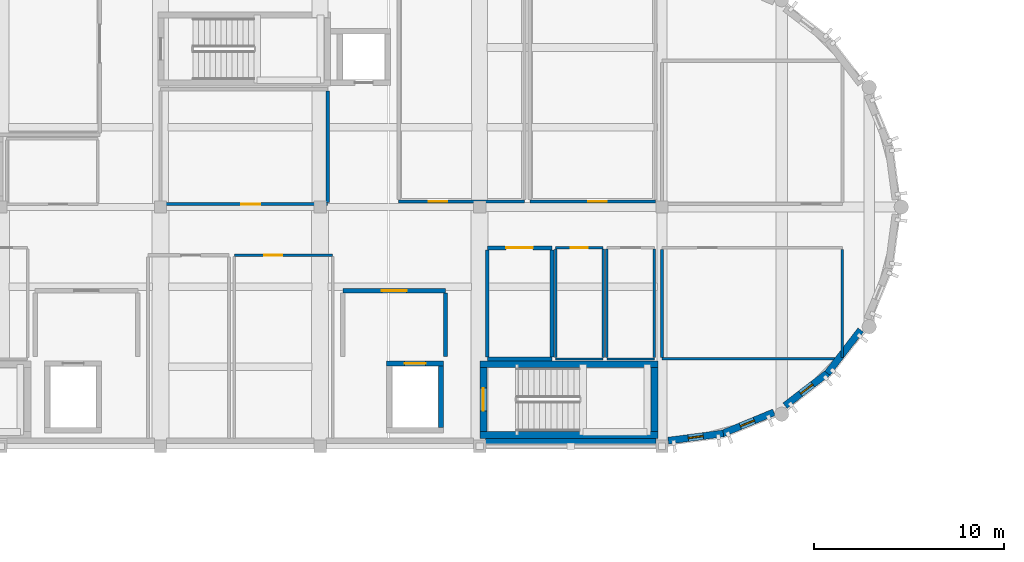
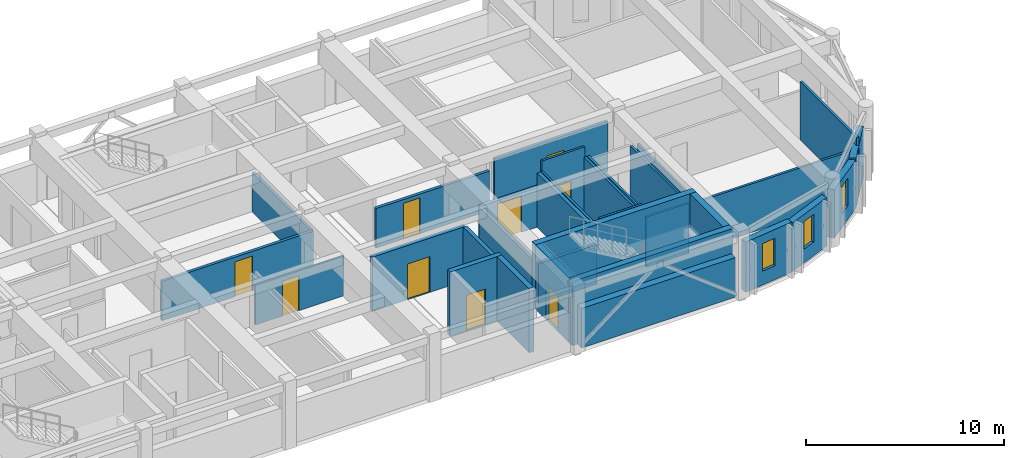
# One storey, part 15 of 31: 32 walls, 9 doors, 3 windows, 12 openings.
"""IFC4 building model written with IfcOpenShell, lengths in metres."""

from ifc_helpers import new_model, si_unit, direction, frame, frame_2d, origin, place, context, subcontext, project, spatial, rectangle, extrude, material, layer, layer_set, type_object, element, fill, save


model = new_model("IFC4")

# Units and contexts
model_context = context("Model", 3, precision=1e-05, world=origin(), true_north=direction((0.0, 1.0)))
body_context = subcontext(model_context, "Body", "Model", "MODEL_VIEW")
ifc_project = project(units=[si_unit("LENGTHUNIT", "METRE"), si_unit("AREAUNIT", "SQUARE_METRE"), si_unit("VOLUMEUNIT", "CUBIC_METRE"), si_unit("PLANEANGLEUNIT", "RADIAN"), si_unit("MASSUNIT", "GRAM", prefix="KILO")], contexts=[model_context])

# Site, building, storey
site_placement = place(None, origin())
site = spatial("IfcSite", under=ifc_project, at=site_placement, CompositionType="ELEMENT")
building_placement = place(site_placement, origin())
building = spatial("IfcBuilding", under=site, at=building_placement, Name="Tarnavel Promenade Courthouse", CompositionType="ELEMENT")
storey_placement = place(building_placement, frame((0.0, 0.0, 18.60009765625)))
storey = spatial("IfcBuildingStorey", under=building, at=storey_placement, Name="L05", CompositionType="ELEMENT", Elevation=18.60009765625)

# Wall, opening, door
ifc_material_1 = material(Name="Acoustic Insulated Gypsum Stud Partition", Category="gypsum")
ifc_layer_1 = layer(ifc_material_1, 0.1650390625)
ifc_layer_set_1 = layer_set([ifc_layer_1], Name="Acoustic Insulated Gypsum Stud Partition")
wall_type_1 = type_object("IfcWallType", Name="Acoustic Insulated Gypsum Stud Partition WL-CHM-165 (165 mm)", PredefinedType="PARTITIONING", material=ifc_layer_set_1)
wall_1_placement = place(storey_placement, frame((84.39990234375, 91.949951171875, 0.0), z_axis=(0.0, 0.0, 1.0), x_axis=(-1.0, 0.0, 0.0)))
wall_1 = element("IfcWall", 1, at=wall_1_placement, inside=storey, type_object=wall_type_1, Name="L05 L05 Judicial Panel Deliberation Salon Partition 0724", PredefinedType="PARTITIONING", context=body_context, shape_type="SweptSolid", body=[
    extrude(rectangle(XDim=8.7998046875, YDim=0.1650390625, at=frame_2d((4.39990234375, 0.0))), origin(), (0.0, 0.0, 1.0), 2.43994140625),
])
opening_1_placement = place(wall_1_placement, frame((3.544921875, 0.0, 0.0)))
opening_1 = element("IfcOpeningElement", 2, at=opening_1_placement, cuts=wall_1, Name="Opening ID-03", PredefinedType="OPENING", context=body_context, shape_type="SweptSolid", body=[
    extrude(rectangle(XDim=1.0, YDim=2.14990234375, at=frame_2d((0.5, 1.074951171875))), frame((0.0, 0.092529296875, 0.0), z_axis=(0.0, -1.0, 0.0), x_axis=(1.0, 0.0, 0.0)), (0.0, 0.0, 1.0), 0.18505859375),
])
ifc_material_2 = material(Name="Acoustic Solid-Core Oak Jury Room Door")
door_type_1 = type_object("IfcDoorType", Name="Acoustic Solid-Core Oak Jury Room Door (DR-JRY-1000x2150)", OperationType="NOTDEFINED", PredefinedType="DOOR", material=ifc_material_2)
door_1_placement = place(opening_1_placement, origin())
door_1 = element("IfcDoor", 3, at=door_1_placement, inside=storey, type_object=door_type_1, Name="L05 L05 Judicial Panel Deliberation Salon Door 0207", OperationType="SINGLE_SWING_RIGHT", OverallHeight=2.14990234375, OverallWidth=1.0, PredefinedType="DOOR", context=body_context, shape_type="SweptSolid", body=[
    extrude(rectangle(XDim=1.0, YDim=2.14990234375, at=frame_2d((0.5, 1.074951171875))), frame((0.0, 0.02490234375, 0.0), z_axis=(0.0, -1.0, 0.0), x_axis=(1.0, 0.0, 0.0)), (0.0, 0.0, 1.0), 0.050048828125),
])
fill(opening_1, door_1)

# Wall
wall_2_placement = place(storey_placement, frame((84.39990234375, 97.907470703125, 0.0), z_axis=(0.0, 0.0, 1.0), x_axis=(0.0, -1.0, 0.0)))
element("IfcWall", 4, at=wall_2_placement, inside=storey, type_object=wall_type_1, Name="L05 L05 Judicial Panel Deliberation Salon Partition 0726", PredefinedType="PARTITIONING", context=body_context, shape_type="SweptSolid", body=[
    extrude(rectangle(XDim=5.864990234375, YDim=0.1650390625, at=frame_2d((2.9326171875, 0.0))), origin(), (0.0, 0.0, 1.0), 2.43994140625),
])

# Wall, opening, door
wall_3_placement = place(storey_placement, frame((94.760009765625, 92.090087890625, 0.0), z_axis=(0.0, 0.0, 1.0), x_axis=(-1.0, 0.0, 0.0)))
wall_3 = element("IfcWall", 5, at=wall_3_placement, inside=storey, type_object=wall_type_1, Name="L05 Judges' Chambers L05 West Partition 0727", PredefinedType="PARTITIONING", context=body_context, shape_type="SweptSolid", body=[
    extrude(rectangle(XDim=6.6201171875, YDim=0.1650390625, at=frame_2d((3.31005859375, 0.0))), origin(), (0.0, 0.0, 1.0), 2.43994140625),
])
opening_2_placement = place(wall_3_placement, frame((4.054931640625, 0.0, 0.0)))
opening_2 = element("IfcOpeningElement", 6, at=opening_2_placement, cuts=wall_3, Name="Opening ID-04", PredefinedType="OPENING", context=body_context, shape_type="SweptSolid", body=[
    extrude(rectangle(XDim=0.97998046875, YDim=2.199951171875, at=frame_2d((0.489990234375, 1.10009765625))), frame((0.0, 0.092529296875, 0.0), z_axis=(0.0, -1.0, 0.0), x_axis=(1.0, 0.0, 0.0)), (0.0, 0.0, 1.0), 0.18505859375),
])
ifc_material_3 = material(Name="Solid Oak Judges Chambers Door")
door_type_2 = type_object("IfcDoorType", Name="Solid Oak Judges Chambers Door (DR-CHM-0980x2200)", OperationType="NOTDEFINED", PredefinedType="DOOR", material=ifc_material_3)
door_2_placement = place(opening_2_placement, origin())
door_2 = element("IfcDoor", 7, at=door_2_placement, inside=storey, type_object=door_type_2, Name="L05 Judges' Chambers L05 West Door 0208", OperationType="SINGLE_SWING_LEFT", OverallHeight=2.199951171875, OverallWidth=0.97998046875, PredefinedType="DOOR", context=body_context, shape_type="SweptSolid", body=[
    extrude(rectangle(XDim=0.97998046875, YDim=2.199951171875, at=frame_2d((0.489990234375, 1.10009765625))), frame((0.0, 0.02490234375, 0.0), z_axis=(0.0, -1.0, 0.0), x_axis=(1.0, 0.0, 0.0)), (0.0, 0.0, 1.0), 0.050048828125),
])
fill(opening_2, door_2)

wall_4_placement = place(storey_placement, frame((101.659912109375, 92.090087890625, 0.0), z_axis=(0.0, 0.0, 1.0), x_axis=(-1.0, 0.0, 0.0)))
wall_4 = element("IfcWall", 8, at=wall_4_placement, inside=storey, type_object=wall_type_1, Name="L05 Judges' Chambers L05 East Partition 0730", PredefinedType="PARTITIONING", context=body_context, shape_type="SweptSolid", body=[
    extrude(rectangle(XDim=6.619873046875, YDim=0.1650390625, at=frame_2d((3.31005859375, 0.0))), origin(), (0.0, 0.0, 1.0), 3.08984375),
])
opening_3_placement = place(wall_4_placement, frame((2.572998046875, 0.0, 0.0)))
opening_3 = element("IfcOpeningElement", 9, at=opening_3_placement, cuts=wall_4, Name="Opening ID-04", PredefinedType="OPENING", context=body_context, shape_type="SweptSolid", body=[
    extrude(rectangle(XDim=0.97998046875, YDim=2.199951171875, at=frame_2d((0.489990234375, 1.10009765625))), frame((0.0, 0.092529296875, 0.0), z_axis=(0.0, -1.0, 0.0), x_axis=(1.0, 0.0, 0.0)), (0.0, 0.0, 1.0), 0.18505859375),
])
door_3_placement = place(opening_3_placement, origin())
door_3 = element("IfcDoor", 10, at=door_3_placement, inside=storey, type_object=door_type_2, Name="L05 Judges' Chambers L05 East Door 0209", OperationType="SINGLE_SWING_RIGHT", OverallHeight=2.199951171875, OverallWidth=0.97998046875, PredefinedType="DOOR", context=body_context, shape_type="SweptSolid", body=[
    extrude(rectangle(XDim=0.97998046875, YDim=2.199951171875, at=frame_2d((0.489990234375, 1.10009765625))), frame((0.0, 0.02490234375, 0.0), z_axis=(0.0, -1.0, 0.0), x_axis=(1.0, 0.0, 0.0)), (0.0, 0.0, 1.0), 0.050048828125),
])
fill(opening_3, door_3)

ifc_material_4 = material(Name="Concrete C40/50", Category="concrete")
ifc_layer_2 = layer(ifc_material_4, 0.280029296875)
ifc_layer_set_2 = layer_set([ifc_layer_2], Name="Concrete C40/50")
wall_type_2 = type_object("IfcWallType", Name="Concrete C40/50 WL-SHR-280 (280 mm)", PredefinedType="SHEAR", material=ifc_layer_set_2)
wall_5_placement = place(storey_placement, frame((87.5, 83.56005859375, 0.0), z_axis=(0.0, 0.0, 1.0), x_axis=(1.0, 0.0, 0.0)))
wall_5 = element("IfcWall", 11, at=wall_5_placement, inside=storey, type_object=wall_type_2, Name="L05 L-FF2 Lift Shaft North Wall", PredefinedType="SHEAR", context=body_context, shape_type="SweptSolid", body=[
    extrude(rectangle(XDim=3.0, YDim=0.280029296875, at=frame_2d((1.5, 0.0))), origin(), (0.0, 0.0, 1.0), 3.9599609375),
])
opening_4_placement = place(wall_5_placement, frame((0.949951171875, 0.0, 0.0)))
opening_4 = element("IfcOpeningElement", 12, at=opening_4_placement, cuts=wall_5, Name="Opening LD-01", PredefinedType="OPENING", context=body_context, shape_type="SweptSolid", body=[
    extrude(rectangle(XDim=1.10009765625, YDim=2.199951171875, at=frame_2d((0.550048828125, 1.10009765625))), frame((0.0, 0.14990234375, 0.0), z_axis=(0.0, -1.0, 0.0), x_axis=(1.0, 0.0, 0.0)), (0.0, 0.0, 1.0), 0.300048828125),
])
ifc_material_5 = material(Name="Stainless Steel Firefighting Lift Landing Sliding Door", Category="steel")
door_type_3 = type_object("IfcDoorType", Name="Stainless Steel Firefighting Lift Landing Sliding Door (LD-FF-1100x2200)", OperationType="NOTDEFINED", PredefinedType="DOOR", material=ifc_material_5)
door_4_placement = place(opening_4_placement, origin())
door_4 = element("IfcDoor", 13, at=door_4_placement, inside=storey, type_object=door_type_3, Name="L05 L-FF2 Lift Sliding Landing Door", OperationType="DOUBLE_DOOR_SLIDING", OverallHeight=2.199951171875, OverallWidth=1.10009765625, PredefinedType="DOOR", context=body_context, shape_type="SweptSolid", body=[
    extrude(rectangle(XDim=1.10009765625, YDim=2.199951171875, at=frame_2d((0.550048828125, 1.10009765625))), frame((0.0, 0.02490234375, 0.0), z_axis=(0.0, -1.0, 0.0), x_axis=(1.0, 0.0, 0.0)), (0.0, 0.0, 1.0), 0.050048828125),
])
fill(opening_4, door_4)

# Walls
wall_6_placement = place(storey_placement, frame((90.360107421875, 83.419921875, 0.0), z_axis=(0.0, 0.0, 1.0), x_axis=(0.0, -1.0, 0.0)))
element("IfcWall", 14, at=wall_6_placement, inside=storey, type_object=wall_type_2, Name="L05 L-FF2 Lift Shaft East Wall", PredefinedType="SHEAR", context=body_context, shape_type="SweptSolid", body=[
    extrude(rectangle(XDim=3.239990234375, YDim=0.280029296875, at=frame_2d((1.6201171875, 0.0))), origin(), (0.0, 0.0, 1.0), 3.9599609375),
])
ifc_layer_3 = layer(ifc_material_4, 0.360107421875)
ifc_layer_set_3 = layer_set([ifc_layer_3], Name="Concrete C40/50")
wall_type_3 = type_object("IfcWallType", Name="Concrete C40/50 WL-SHR-360 (360 mm)", PredefinedType="SHEAR", material=ifc_layer_set_3)
for number, where, z_axis, x_axis, name in (
    (15, (92.419921875, 83.52001953125, 0.0), (0.0, 0.0, 1.0), (1.0, 0.0, 0.0), "L05 ST-02 Shear Core North Wall"),
    (16, (101.780029296875, 79.800048828125, 0.0), (0.0, 0.0, 1.0), (-1.0, 0.0, 0.0), "L05 ST-02 Shear Core South Wall"),
):
    element("IfcWall", number, at=place(storey_placement, frame(where, z_axis=z_axis, x_axis=x_axis)), inside=storey, type_object=wall_type_3, Name=name, PredefinedType="SHEAR", context=body_context, shape_type="SweptSolid", body=[
        extrude(rectangle(XDim=9.360107421875, YDim=0.360107421875, at=frame_2d((4.68017578125, 0.0))), origin(), (0.0, 0.0, 1.0), 3.9599609375),
    ])

# Wall, opening, door
wall_7_placement = place(storey_placement, frame((92.60009765625, 79.97998046875, 0.0), z_axis=(0.0, 0.0, 1.0), x_axis=(0.0, 1.0, 0.0)))
wall_7 = element("IfcWall", 17, at=wall_7_placement, inside=storey, type_object=wall_type_3, Name="L05 ST-02 Shear Core West Landing Wall", PredefinedType="SHEAR", context=body_context, shape_type="SweptSolid", body=[
    extrude(rectangle(XDim=3.360107421875, YDim=0.360107421875, at=frame_2d((1.68017578125, 0.0))), origin(), (0.0, 0.0, 1.0), 3.9599609375),
])
opening_5_placement = place(wall_7_placement, frame((1.080078125, 0.0, 0.0)))
opening_5 = element("IfcOpeningElement", 18, at=opening_5_placement, cuts=wall_7, Name="Opening FD-02", PredefinedType="OPENING", context=body_context, shape_type="SweptSolid", body=[
    extrude(rectangle(XDim=1.199951171875, YDim=2.199951171875, at=frame_2d((0.60009765625, 1.10009765625))), frame((0.0, 0.18994140625, 0.0), z_axis=(0.0, -1.0, 0.0), x_axis=(1.0, 0.0, 0.0)), (0.0, 0.0, 1.0), 0.380126953125),
])
ifc_material_6 = material(Name="Steel Fire-Rated Firefighting Stair Door", Category="steel")
door_type_4 = type_object("IfcDoorType", Name="Steel Fire-Rated Firefighting Stair Door (DR-ST-1200x2200)", OperationType="NOTDEFINED", PredefinedType="DOOR", material=ifc_material_6)
door_5_placement = place(opening_5_placement, origin())
door_5 = element("IfcDoor", 19, at=door_5_placement, inside=storey, type_object=door_type_4, Name="L05 ST-02 Protected Exit Stair Door", OperationType="SINGLE_SWING_LEFT", OverallHeight=2.199951171875, OverallWidth=1.199951171875, PredefinedType="DOOR", context=body_context, shape_type="SweptSolid", body=[
    extrude(rectangle(XDim=1.199951171875, YDim=2.199951171875, at=frame_2d((0.60009765625, 1.10009765625))), frame((0.0, 0.02490234375, 0.0), z_axis=(0.0, -1.0, 0.0), x_axis=(1.0, 0.0, 0.0)), (0.0, 0.0, 1.0), 0.050048828125),
])
fill(opening_5, door_5)

# Wall
wall_8_placement = place(storey_placement, frame((101.60009765625, 83.340087890625, 0.0), z_axis=(0.0, 0.0, 1.0), x_axis=(0.0, -1.0, 0.0)))
element("IfcWall", 20, at=wall_8_placement, inside=storey, type_object=wall_type_3, Name="L05 ST-02 Shear Core East Wall", PredefinedType="SHEAR", context=body_context, shape_type="SweptSolid", body=[
    extrude(rectangle(XDim=3.360107421875, YDim=0.360107421875, at=frame_2d((1.68017578125, 0.0))), origin(), (0.0, 0.0, 1.0), 3.9599609375),
])

# Wall, opening, door
ifc_material_7 = material(Name="Concrete Masonry Fire Compartment Wall", Category="masonry")
ifc_layer_4 = layer(ifc_material_7, 0.205078125)
ifc_layer_set_4 = layer_set([ifc_layer_4], Name="Concrete Masonry Fire Compartment Wall")
wall_type_4 = type_object("IfcWallType", Name="Concrete Masonry Fire Compartment Wall WL-CMP-205 (205 mm)", PredefinedType="STANDARD", material=ifc_layer_set_4)
wall_9_placement = place(storey_placement, frame((92.800048828125, 89.64990234375, 0.0), z_axis=(0.0, 0.0, 1.0), x_axis=(1.0, 0.0, 0.0)))
wall_9 = element("IfcWall", 21, at=wall_9_placement, inside=storey, type_object=wall_type_4, Name="L05 L05 Court Transcript Records Room Partition 0682", PredefinedType="STANDARD", context=body_context, shape_type="SweptSolid", body=[
    extrude(rectangle(XDim=3.39990234375, YDim=0.205078125, at=frame_2d((1.699951171875, 0.0))), origin(), (0.0, 0.0, 1.0), 2.43994140625),
])
opening_6_placement = place(wall_9_placement, frame((1.0, 0.0, 0.0)))
opening_6 = element("IfcOpeningElement", 22, at=opening_6_placement, cuts=wall_9, Name="Opening FD-04", PredefinedType="OPENING", context=body_context, shape_type="SweptSolid", body=[
    extrude(rectangle(XDim=1.39990234375, YDim=2.25, at=frame_2d((0.699951171875, 1.125))), frame((0.0, 0.112548828125, 0.0), z_axis=(0.0, -1.0, 0.0), x_axis=(1.0, 0.0, 0.0)), (0.0, 0.0, 1.0), 0.22509765625),
])
ifc_material_8 = material(Name="Heavy Steel Plant Room Fire Door", Category="steel")
door_type_5 = type_object("IfcDoorType", Name="Heavy Steel Plant Room Fire Door (DR-PLT-1400x2250)", OperationType="NOTDEFINED", PredefinedType="DOOR", material=ifc_material_8)
door_6_placement = place(opening_6_placement, origin())
door_6 = element("IfcDoor", 23, at=door_6_placement, inside=storey, type_object=door_type_5, Name="L05 L05 Court Transcript Records Room Door 0195", OperationType="SINGLE_SWING_LEFT", OverallHeight=2.25, OverallWidth=1.39990234375, PredefinedType="DOOR", context=body_context, shape_type="SweptSolid", body=[
    extrude(rectangle(XDim=1.39990234375, YDim=2.25, at=frame_2d((0.699951171875, 1.125))), frame((0.0, 0.02490234375, 0.0), z_axis=(0.0, -1.0, 0.0), x_axis=(1.0, 0.0, 0.0)), (0.0, 0.0, 1.0), 0.050048828125),
])
fill(opening_6, door_6)

# Walls
wall_10_placement = place(storey_placement, frame((96.199951171875, 83.800048828125, 0.0), z_axis=(0.0, 0.0, 1.0), x_axis=(-1.0, 0.0, 0.0)))
element("IfcWall", 24, at=wall_10_placement, inside=storey, type_object=wall_type_4, Name="L05 L05 Court Transcript Records Room Partition 0683", PredefinedType="STANDARD", context=body_context, shape_type="SweptSolid", body=[
    extrude(rectangle(XDim=3.39990234375, YDim=0.205078125, at=frame_2d((1.699951171875, 0.0))), origin(), (0.0, 0.0, 1.0), 2.43994140625),
])
wall_11_placement = place(storey_placement, frame((92.800048828125, 83.91259765625, 0.0), z_axis=(0.0, 0.0, 1.0), x_axis=(0.0, 1.0, 0.0)))
element("IfcWall", 25, at=wall_11_placement, inside=storey, type_object=wall_type_4, Name="L05 L05 Court Transcript Records Room Partition 0684", PredefinedType="STANDARD", context=body_context, shape_type="SweptSolid", body=[
    extrude(rectangle(XDim=5.625, YDim=0.205078125, at=frame_2d((2.8125, 0.0))), origin(), (0.0, 0.0, 1.0), 2.43994140625),
])
wall_12_placement = place(storey_placement, frame((96.199951171875, 89.53759765625, 0.0), z_axis=(0.0, 0.0, 1.0), x_axis=(0.0, -1.0, 0.0)))
element("IfcWall", 26, at=wall_12_placement, inside=storey, type_object=wall_type_4, Name="L05 L05 Court Transcript Records Room Partition 0685", PredefinedType="STANDARD", context=body_context, shape_type="SweptSolid", body=[
    extrude(rectangle(XDim=5.625, YDim=0.205078125, at=frame_2d((2.8125, 0.0))), origin(), (0.0, 0.0, 1.0), 3.33984375),
])

# Wall, opening, door
ifc_layer_5 = layer(ifc_material_7, 0.22998046875)
ifc_layer_set_5 = layer_set([ifc_layer_5], Name="Concrete Masonry Fire Compartment Wall")
wall_type_5 = type_object("IfcWallType", Name="Concrete Masonry Fire Compartment Wall WL-CMP-230 (230 mm)", PredefinedType="STANDARD", material=ifc_layer_set_5)
wall_13_placement = place(storey_placement, frame((85.199951171875, 87.39990234375, 0.0), z_axis=(0.0, 0.0, 1.0), x_axis=(1.0, 0.0, 0.0)))
wall_13 = element("IfcWall", 27, at=wall_13_placement, inside=storey, type_object=wall_type_5, Name="L05 Firefighting Lobby L-FF2 Partition 0659", PredefinedType="STANDARD", context=body_context, shape_type="SweptSolid", body=[
    extrude(rectangle(XDim=5.400146484375, YDim=0.22998046875, at=frame_2d((2.7001953125, 0.0))), origin(), (0.0, 0.0, 1.0), 3.33984375),
])
opening_7_placement = place(wall_13_placement, frame((2.050048828125, 0.0, 0.0)))
opening_7 = element("IfcOpeningElement", 28, at=opening_7_placement, cuts=wall_13, Name="Opening FD-03", PredefinedType="OPENING", context=body_context, shape_type="SweptSolid", body=[
    extrude(rectangle(XDim=1.300048828125, YDim=2.199951171875, at=frame_2d((0.64990234375, 1.10009765625))), frame((0.0, 0.125, 0.0), z_axis=(0.0, -1.0, 0.0), x_axis=(1.0, 0.0, 0.0)), (0.0, 0.0, 1.0), 0.25),
])
ifc_material_9 = material(Name="Smoke-Sealed Firefighting Lobby Fire Door")
door_type_6 = type_object("IfcDoorType", Name="Smoke-Sealed Firefighting Lobby Fire Door (DR-FFL-1300x2200)", OperationType="NOTDEFINED", PredefinedType="DOOR", material=ifc_material_9)
door_7_placement = place(opening_7_placement, origin())
door_7 = element("IfcDoor", 29, at=door_7_placement, inside=storey, type_object=door_type_6, Name="L05 Firefighting Lobby L-FF2 Door 0189", OperationType="SINGLE_SWING_LEFT", OverallHeight=2.199951171875, OverallWidth=1.300048828125, PredefinedType="DOOR", context=body_context, shape_type="SweptSolid", body=[
    extrude(rectangle(XDim=1.300048828125, YDim=2.199951171875, at=frame_2d((0.64990234375, 1.10009765625))), frame((0.0, 0.02490234375, 0.0), z_axis=(0.0, -1.0, 0.0), x_axis=(1.0, 0.0, 0.0)), (0.0, 0.0, 1.0), 0.050048828125),
])
fill(opening_7, door_7)

# Walls
wall_14_placement = place(storey_placement, frame((90.60009765625, 87.27490234375, 0.0), z_axis=(0.0, 0.0, 1.0), x_axis=(0.0, -1.0, 0.0)))
element("IfcWall", 30, at=wall_14_placement, inside=storey, type_object=wall_type_5, Name="L05 Firefighting Lobby L-FF2 Partition 0661", PredefinedType="STANDARD", context=body_context, shape_type="SweptSolid", body=[
    extrude(rectangle(XDim=3.349853515625, YDim=0.22998046875, at=frame_2d((1.6748046875, 0.0))), origin(), (0.0, 0.0, 1.0), 3.33984375),
])
ifc_material_10 = material(Name="Cream Brick Insulated Cavity Facade Assembly", Category="masonry")
ifc_layer_6 = layer(ifc_material_10, 0.409912109375)
ifc_layer_set_6 = layer_set([ifc_layer_6], Name="Cream Brick Insulated Cavity Facade Assembly")
wall_type_6 = type_object("IfcWallType", Name="Cream Brick Insulated Cavity Facade Assembly WL-EXT-410 (410 mm)", PredefinedType="STANDARD", material=ifc_layer_set_6)
wall_15_placement = place(storey_placement, frame((101.68310546875, 79.419921875, 0.0), z_axis=(0.0, 0.0, 1.0), x_axis=(-1.0, 0.0, 0.0)))
element("IfcWall", 31, at=wall_15_placement, inside=storey, type_object=wall_type_6, Name="L05 Bar South Limestone Facade 0115", PredefinedType="STANDARD", context=body_context, shape_type="SweptSolid", body=[
    extrude(rectangle(XDim=8.966064453125, YDim=0.409912109375, at=frame_2d((4.48291015625, 0.0))), origin(), (0.0, 0.0, 1.0), 2.43994140625),
])

# Wall, opening, door
ifc_material_11 = material(Name="Metal-Stud Acoustic Gypsum Partition", Category="gypsum")
ifc_layer_7 = layer(ifc_material_11, 0.135009765625)
ifc_layer_set_7 = layer_set([ifc_layer_7], Name="Metal-Stud Acoustic Gypsum Partition")
wall_type_7 = type_object("IfcWallType", Name="Metal-Stud Acoustic Gypsum Partition WL-OFF-135 (135 mm)", PredefinedType="PARTITIONING", material=ifc_layer_set_7)
wall_16_placement = place(storey_placement, frame((79.485107421875, 89.260009765625, 0.0), z_axis=(0.0, 0.0, 1.0), x_axis=(1.0, 0.0, 0.0)))
wall_16 = element("IfcWall", 32, at=wall_16_placement, inside=storey, type_object=wall_type_7, Name="L05 Judicial Clerks' Drafting Office L05 Partition 0736", PredefinedType="PARTITIONING", context=body_context, shape_type="SweptSolid", body=[
    extrude(rectangle(XDim=5.1748046875, YDim=0.135009765625, at=frame_2d((2.58740234375, 0.0))), origin(), (0.0, 0.0, 1.0), 2.43994140625),
])
opening_8_placement = place(wall_16_placement, frame((1.583740234375, 0.0, 0.0)))
opening_8 = element("IfcOpeningElement", 33, at=opening_8_placement, cuts=wall_16, Name="Opening ID-06", PredefinedType="OPENING", context=body_context, shape_type="SweptSolid", body=[
    extrude(rectangle(XDim=0.949951171875, YDim=2.14990234375, at=frame_2d((0.47509765625, 1.074951171875))), frame((0.0, 0.077392578125, 0.0), z_axis=(0.0, -1.0, 0.0), x_axis=(1.0, 0.0, 0.0)), (0.0, 0.0, 1.0), 0.155029296875),
])
ifc_material_12 = material(Name="Acoustic Timber Veneer Office Door", Category="wood")
door_type_7 = type_object("IfcDoorType", Name="Acoustic Timber Veneer Office Door (DR-OFF-0950x2150)", OperationType="NOTDEFINED", PredefinedType="DOOR", material=ifc_material_12)
door_8_placement = place(opening_8_placement, origin())
door_8 = element("IfcDoor", 34, at=door_8_placement, inside=storey, type_object=door_type_7, Name="L05 Judicial Clerks' Drafting Office L05 Door 0211", OperationType="SINGLE_SWING_RIGHT", OverallHeight=2.14990234375, OverallWidth=0.949951171875, PredefinedType="DOOR", context=body_context, shape_type="SweptSolid", body=[
    extrude(rectangle(XDim=0.949951171875, YDim=2.14990234375, at=frame_2d((0.47509765625, 1.074951171875))), frame((0.0, 0.02490234375, 0.0), z_axis=(0.0, -1.0, 0.0), x_axis=(1.0, 0.0, 0.0)), (0.0, 0.0, 1.0), 0.050048828125),
])
fill(opening_8, door_8)

# Walls
wall_17_placement = place(storey_placement, frame((111.5, 83.800048828125, 0.0), z_axis=(0.0, 0.0, 1.0), x_axis=(-1.0, 0.0, 0.0)))
element("IfcWall", 35, at=wall_17_placement, inside=storey, type_object=wall_type_7, Name="L05 L05 East Drum Collegium Reference Room Partition 0748", PredefinedType="PARTITIONING", context=body_context, shape_type="SweptSolid", body=[
    extrude(rectangle(XDim=9.5, YDim=0.135009765625, at=frame_2d((4.75, 0.0))), origin(), (0.0, 0.0, 1.0), 2.989990234375),
])
wall_18_placement = place(storey_placement, frame((102.0, 83.87744140625, 0.0), z_axis=(0.0, 0.0, 1.0), x_axis=(0.0, 1.0, 0.0)))
element("IfcWall", 36, at=wall_18_placement, inside=storey, type_object=wall_type_7, Name="L05 L05 East Drum Collegium Reference Room Partition 0749", PredefinedType="PARTITIONING", context=body_context, shape_type="SweptSolid", body=[
    extrude(rectangle(XDim=5.695068359375, YDim=0.135009765625, at=frame_2d((2.84765625, 0.0))), origin(), (0.0, 0.0, 1.0), 3.08984375),
])
wall_19_placement = place(storey_placement, frame((111.5, 89.572509765625, 0.0), z_axis=(0.0, 0.0, 1.0), x_axis=(0.0, -1.0, 0.0)))
element("IfcWall", 37, at=wall_19_placement, inside=storey, type_object=wall_type_7, Name="L05 L05 East Drum Collegium Reference Room Partition 0750", PredefinedType="PARTITIONING", context=body_context, shape_type="SweptSolid", body=[
    extrude(rectangle(XDim=5.695068359375, YDim=0.135009765625, at=frame_2d((2.84765625, 0.0))), origin(), (0.0, 0.0, 1.0), 3.58984375),
])

# Wall, opening, door
ifc_material_13 = material(Name="Moisture-Resistant Tile-Backed Stud Partition", Category="gypsum")
ifc_layer_8 = layer(ifc_material_13, 0.125)
ifc_layer_set_8 = layer_set([ifc_layer_8], Name="Moisture-Resistant Tile-Backed Stud Partition")
wall_type_8 = type_object("IfcWallType", Name="Moisture-Resistant Tile-Backed Stud Partition WL-WET-125 (125 mm)", PredefinedType="PARTITIONING", material=ifc_layer_set_8)
wall_20_placement = place(storey_placement, frame((96.39990234375, 89.64990234375, 0.0), z_axis=(0.0, 0.0, 1.0), x_axis=(1.0, 0.0, 0.0)))
wall_20 = element("IfcWall", 38, at=wall_20_placement, inside=storey, type_object=wall_type_8, Name="L05 Staff WC Partition 0670", PredefinedType="PARTITIONING", context=body_context, shape_type="SweptSolid", body=[
    extrude(rectangle(XDim=2.5, YDim=0.125, at=frame_2d((1.25, 0.0))), origin(), (0.0, 0.0, 1.0), 3.94482421875),
])
opening_9_placement = place(wall_20_placement, frame((0.800048828125, 0.0, 0.0)))
opening_9 = element("IfcOpeningElement", 39, at=opening_9_placement, cuts=wall_20, Name="Opening ID-08", PredefinedType="OPENING", context=body_context, shape_type="SweptSolid", body=[
    extrude(rectangle(XDim=0.89990234375, YDim=2.10009765625, at=frame_2d((0.449951171875, 1.050048828125))), frame((0.0, 0.072509765625, 0.0), z_axis=(0.0, -1.0, 0.0), x_axis=(1.0, 0.0, 0.0)), (0.0, 0.0, 1.0), 0.14501953125),
])
ifc_material_14 = material(Name="Moisture-Resistant Laminate Restroom Door")
door_type_8 = type_object("IfcDoorType", Name="Moisture-Resistant Laminate Restroom Door (DR-WC-0900x2100)", OperationType="NOTDEFINED", PredefinedType="DOOR", material=ifc_material_14)
door_9_placement = place(opening_9_placement, origin())
door_9 = element("IfcDoor", 40, at=door_9_placement, inside=storey, type_object=door_type_8, Name="L05 Staff WC Door 0192", OperationType="SINGLE_SWING_RIGHT", OverallHeight=2.10009765625, OverallWidth=0.89990234375, PredefinedType="DOOR", context=body_context, shape_type="SweptSolid", body=[
    extrude(rectangle(XDim=0.89990234375, YDim=2.10009765625, at=frame_2d((0.449951171875, 1.050048828125))), frame((0.0, 0.02490234375, 0.0), z_axis=(0.0, -1.0, 0.0), x_axis=(1.0, 0.0, 0.0)), (0.0, 0.0, 1.0), 0.050048828125),
])
fill(opening_9, door_9)

# Walls
wall_21_placement = place(storey_placement, frame((98.89990234375, 83.800048828125, 0.0), z_axis=(0.0, 0.0, 1.0), x_axis=(-1.0, 0.0, 0.0)))
element("IfcWall", 41, at=wall_21_placement, inside=storey, type_object=wall_type_8, Name="L05 Staff WC Partition 0671", PredefinedType="PARTITIONING", context=body_context, shape_type="SweptSolid", body=[
    extrude(rectangle(XDim=2.5, YDim=0.125, at=frame_2d((1.25, 0.0))), origin(), (0.0, 0.0, 1.0), 3.94482421875),
])
for number, where, z_axis, x_axis, name in (
    (42, (96.39990234375, 83.87255859375, 0.0), (0.0, 0.0, 1.0), (0.0, 1.0, 0.0), "L05 Staff WC Partition 0672"),
    (43, (98.89990234375, 89.577392578125, 0.0), (0.0, 0.0, 1.0), (0.0, -1.0, 0.0), "L05 Staff WC Partition 0673"),
):
    element("IfcWall", number, at=place(storey_placement, frame(where, z_axis=z_axis, x_axis=x_axis)), inside=storey, type_object=wall_type_8, Name=name, PredefinedType="PARTITIONING", context=body_context, shape_type="SweptSolid", body=[
        extrude(rectangle(XDim=5.704833984375, YDim=0.125, at=frame_2d((2.8525390625, 0.0))), origin(), (0.0, 0.0, 1.0), 3.33984375),
    ])
wall_22_placement = place(storey_placement, frame((101.60009765625, 83.800048828125, 0.0), z_axis=(0.0, 0.0, 1.0), x_axis=(-1.0, 0.0, 0.0)))
element("IfcWall", 44, at=wall_22_placement, inside=storey, type_object=wall_type_8, Name="L05 Accessible Staff WC Partition 0675", PredefinedType="PARTITIONING", context=body_context, shape_type="SweptSolid", body=[
    extrude(rectangle(XDim=2.5, YDim=0.125, at=frame_2d((1.25, 0.0))), origin(), (0.0, 0.0, 1.0), 3.08984375),
])
wall_23_placement = place(storey_placement, frame((99.10009765625, 83.87255859375, 0.0), z_axis=(0.0, 0.0, 1.0), x_axis=(0.0, 1.0, 0.0)))
element("IfcWall", 45, at=wall_23_placement, inside=storey, type_object=wall_type_8, Name="L05 Accessible Staff WC Partition 0676", PredefinedType="PARTITIONING", context=body_context, shape_type="SweptSolid", body=[
    extrude(rectangle(XDim=5.704833984375, YDim=0.125, at=frame_2d((2.8525390625, 0.0))), origin(), (0.0, 0.0, 1.0), 3.33984375),
])
wall_24_placement = place(storey_placement, frame((101.60009765625, 89.577392578125, 0.0), z_axis=(0.0, 0.0, 1.0), x_axis=(0.0, -1.0, 0.0)))
element("IfcWall", 46, at=wall_24_placement, inside=storey, type_object=wall_type_8, Name="L05 Accessible Staff WC Partition 0677", PredefinedType="PARTITIONING", context=body_context, shape_type="SweptSolid", body=[
    extrude(rectangle(XDim=5.704833984375, YDim=0.125, at=frame_2d((2.8525390625, 0.0))), origin(), (0.0, 0.0, 1.0), 3.08984375),
])

# Wall, opening, window
ifc_material_15 = material(Name="Patinated Copper-Bronze Insulated Drum Wall Assembly", Category="masonry")
ifc_layer_9 = layer(ifc_material_15, 0.364990234375)
ifc_layer_set_9 = layer_set([ifc_layer_9], Name="Patinated Copper-Bronze Insulated Drum Wall Assembly")
wall_type_9 = type_object("IfcWallType", Name="Patinated Copper-Bronze Insulated Drum Wall Assembly WL-DRUM-365 (365 mm)", PredefinedType="ELEMENTEDWALL", material=ifc_layer_set_9)
wall_25_placement = place(storey_placement, frame((102.329345703125, 79.49560546875, 0.0), z_axis=(0.0, 0.0, 1.0), x_axis=(0.99144889538, 0.13049554724, 0.0)))
wall_25 = element("IfcWall", 47, at=wall_25_placement, inside=storey, type_object=wall_type_9, Name="L05 E Copper Drum Chord Wall 01 0126", PredefinedType="ELEMENTEDWALL", context=body_context, shape_type="SweptSolid", body=[
    extrude(rectangle(XDim=2.924072265625, YDim=0.364990234375, at=frame_2d((1.4619140625, 0.0))), origin(), (0.0, 0.0, 1.0), 3.08984375),
])
opening_10_placement = place(wall_25_placement, frame((1.06201171875, 0.0, 0.85009765625)))
opening_10 = element("IfcOpeningElement", 48, at=opening_10_placement, cuts=wall_25, Name="Opening W-09", PredefinedType="OPENING", context=body_context, shape_type="SweptSolid", body=[
    extrude(rectangle(XDim=0.800048828125, YDim=1.699951171875, at=frame_2d((0.39990234375, 0.85009765625))), frame((0.0, 0.1923828125, 0.0), z_axis=(0.0, -1.0, 0.0), x_axis=(1.0, 0.0, 0.0)), (0.0, 0.0, 1.0), 0.385009765625),
])
ifc_material_16 = material(Name="Triple Low-E Glazed Bronze-Clad Window Assembly")
window_type = type_object("IfcWindowType", Name="Triple-Glazed Bronze-Clad Timber-Aluminium WIN-DRM-0800x1700", PartitioningType="SINGLE_PANEL", PredefinedType="WINDOW", material=ifc_material_16)
window_1_placement = place(opening_10_placement, origin())
window_1 = element("IfcWindow", 49, at=window_1_placement, inside=storey, type_object=window_type, Name="L05 Exterior Window 0091", OverallHeight=1.699951171875, OverallWidth=0.800048828125, PartitioningType="SINGLE_PANEL", PredefinedType="WINDOW", context=body_context, shape_type="SweptSolid", body=[
    extrude(rectangle(XDim=0.800048828125, YDim=1.699951171875, at=frame_2d((0.39990234375, 0.85009765625))), frame((0.0, 0.030029296875, 0.0), z_axis=(0.0, -1.0, 0.0), x_axis=(1.0, 0.0, 0.0)), (0.0, 0.0, 1.0), 0.06005859375),
])
fill(opening_10, window_1)

wall_26_placement = place(storey_placement, frame((105.16552734375, 79.8603515625, 0.0), z_axis=(0.0, 0.0, 1.0), x_axis=(0.923896896556, 0.382641509163, 0.0)))
wall_26 = element("IfcWall", 50, at=wall_26_placement, inside=storey, type_object=wall_type_9, Name="L05 E Copper Drum Chord Wall 02 0127", PredefinedType="ELEMENTEDWALL", context=body_context, shape_type="SweptSolid", body=[
    extrude(rectangle(XDim=2.9521484375, YDim=0.364990234375, at=frame_2d((1.47607421875, 0.0))), origin(), (0.0, 0.0, 1.0), 2.989990234375),
])
opening_11_placement = place(wall_26_placement, frame((1.037109375, 0.0, 0.85009765625)))
opening_11 = element("IfcOpeningElement", 51, at=opening_11_placement, cuts=wall_26, Name="Opening W-09", PredefinedType="OPENING", context=body_context, shape_type="SweptSolid", body=[
    extrude(rectangle(XDim=0.800048828125, YDim=1.699951171875, at=frame_2d((0.39990234375, 0.85009765625))), frame((0.0, 0.1923828125, 0.0), z_axis=(0.0, -1.0, 0.0), x_axis=(1.0, 0.0, 0.0)), (0.0, 0.0, 1.0), 0.385009765625),
])
window_2_placement = place(opening_11_placement, origin())
window_2 = element("IfcWindow", 52, at=window_2_placement, inside=storey, type_object=window_type, Name="L05 Exterior Window 0092", OverallHeight=1.699951171875, OverallWidth=0.800048828125, PartitioningType="SINGLE_PANEL", PredefinedType="WINDOW", context=body_context, shape_type="SweptSolid", body=[
    extrude(rectangle(XDim=0.800048828125, YDim=1.699951171875, at=frame_2d((0.39990234375, 0.85009765625))), frame((0.0, 0.030029296875, 0.0), z_axis=(0.0, -1.0, 0.0), x_axis=(1.0, 0.0, 0.0)), (0.0, 0.0, 1.0), 0.06005859375),
])
fill(opening_11, window_2)

wall_27_placement = place(storey_placement, frame((108.47705078125, 81.339111328125, 0.0), z_axis=(0.0, 0.0, 1.0), x_axis=(0.793346533164, 0.608770300127, 0.0)))
wall_27 = element("IfcWall", 53, at=wall_27_placement, inside=storey, type_object=wall_type_9, Name="L05 E Copper Drum Chord Wall 03 0128", PredefinedType="ELEMENTEDWALL", context=body_context, shape_type="SweptSolid", body=[
    extrude(rectangle(XDim=2.874267578125, YDim=0.364990234375, at=frame_2d((1.43701171875, 0.0))), origin(), (0.0, 0.0, 1.0), 2.989990234375),
])
opening_12_placement = place(wall_27_placement, frame((1.037109375, 0.0, 0.85009765625)))
opening_12 = element("IfcOpeningElement", 54, at=opening_12_placement, cuts=wall_27, Name="Opening W-09", PredefinedType="OPENING", context=body_context, shape_type="SweptSolid", body=[
    extrude(rectangle(XDim=0.800048828125, YDim=1.699951171875, at=frame_2d((0.39990234375, 0.85009765625))), frame((0.0, 0.1923828125, 0.0), z_axis=(0.0, -1.0, 0.0), x_axis=(1.0, 0.0, 0.0)), (0.0, 0.0, 1.0), 0.385009765625),
])
window_3_placement = place(opening_12_placement, origin())
window_3 = element("IfcWindow", 55, at=window_3_placement, inside=storey, type_object=window_type, Name="L05 Exterior Window 0093", OverallHeight=1.699951171875, OverallWidth=0.800048828125, PartitioningType="SINGLE_PANEL", PredefinedType="WINDOW", context=body_context, shape_type="SweptSolid", body=[
    extrude(rectangle(XDim=0.800048828125, YDim=1.699951171875, at=frame_2d((0.39990234375, 0.85009765625))), frame((0.0, 0.030029296875, 0.0), z_axis=(0.0, -1.0, 0.0), x_axis=(1.0, 0.0, 0.0)), (0.0, 0.0, 1.0), 0.06005859375),
])
fill(opening_12, window_3)

# Wall
wall_28_placement = place(storey_placement, frame((110.711181640625, 83.04248046875, 0.0), z_axis=(0.0, 0.0, 1.0), x_axis=(0.608729278603, 0.79337800913, 0.0)))
element("IfcWall", 56, at=wall_28_placement, inside=storey, type_object=wall_type_9, Name="L05 E Copper Drum Chord Wall 04 0129", PredefinedType="ELEMENTEDWALL", context=body_context, shape_type="SweptSolid", body=[
    extrude(rectangle(XDim=2.87451171875, YDim=0.364990234375, at=frame_2d((1.437255859375, 0.0))), origin(), (0.0, 0.0, 1.0), 3.08984375),
])

save(model, "model.ifc")
